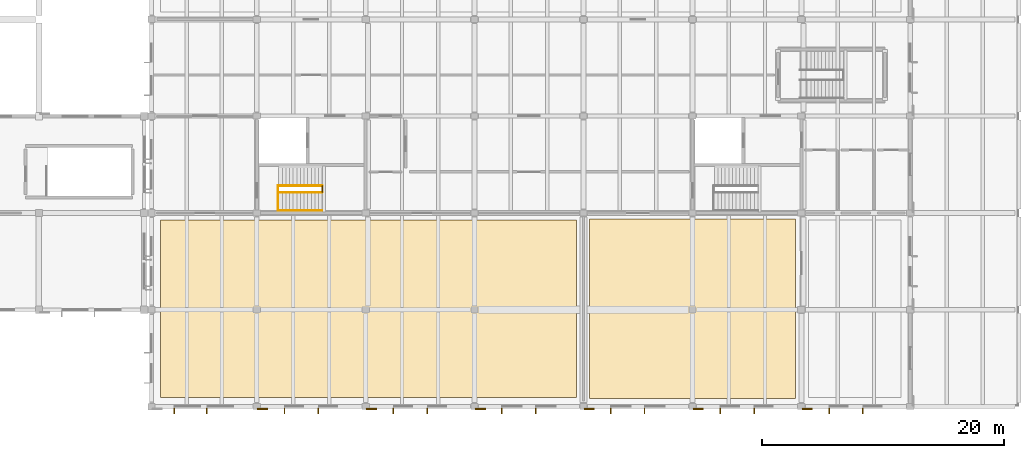
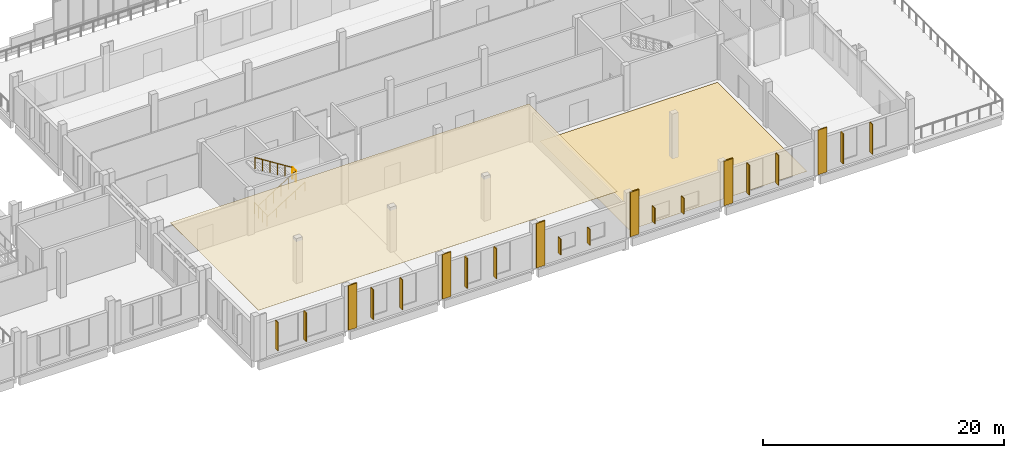
# One storey, part 56 of 63: 14 shading devices, 8 coverings, 5 railings.
"""IFC4 building model written with IfcOpenShell, lengths in metres."""

from ifc_helpers import new_model, si_unit, direction, frame, origin, origin_2d, place, context, subcontext, project, spatial, polyline, rectangle, circle, outline, extrude, material, layer, layer_set, type_object, element, save


model = new_model("IFC4")

# Units and contexts
model_context = context("Model", 3, precision=1e-05, world=origin(), true_north=direction((0.0, 1.0)))
body_context = subcontext(model_context, "Body", "Model", "MODEL_VIEW")
ifc_project = project(units=[si_unit("LENGTHUNIT", "METRE"), si_unit("AREAUNIT", "SQUARE_METRE"), si_unit("VOLUMEUNIT", "CUBIC_METRE"), si_unit("PLANEANGLEUNIT", "RADIAN"), si_unit("MASSUNIT", "GRAM", prefix="KILO")], contexts=[model_context])

# Site, building, storey
site_placement = place(None, origin())
site = spatial("IfcSite", under=ifc_project, at=site_placement, CompositionType="ELEMENT")
building_placement = place(site_placement, origin())
building = spatial("IfcBuilding", under=site, at=building_placement, Name="Zacnel Wholesale Market", CompositionType="ELEMENT")
storey_placement = place(building_placement, frame((0.0, 0.0, 11.199951171875)))
storey = spatial("IfcBuildingStorey", under=building, at=storey_placement, Name="L03", CompositionType="ELEMENT", Elevation=11.199951171875)

# Coverings
ifc_material_1 = material(Name="Micro-perforated acoustic gypsum ceiling")
ifc_layer_1 = layer(ifc_material_1, 0.02001953125)
ifc_layer_set_1 = layer_set([ifc_layer_1], Name="Micro-perforated acoustic gypsum ceiling")
covering_type_1 = type_object("IfcCoveringType", Name="COV-CEIL-AC-20", PredefinedType="CEILING", material=ifc_layer_set_1)
covering_1_placement = place(storey_placement, frame((0.0, 0.0, 4.2099609375)))
element("IfcCovering", 1, at=covering_1_placement, inside=storey, type_object=covering_type_1, Name="Acoustic ceiling L03-502", PredefinedType="CEILING", context=body_context, shape_type="SweptSolid", body=[
    extrude(outline(polyline([(145.050048828125, 0.75), (179.39990234375, 0.75), (179.39990234375, 15.39990234375), (145.050048828125, 15.39990234375), (145.050048828125, 0.75)])), origin(), (0.0, 0.0, 1.0), 0.02001953125),
])
ifc_material_2 = material(Name="Honed Yucatan Maya cream limestone", Category="masonry")
ifc_layer_2 = layer(ifc_material_2, 0.090087890625)
ifc_layer_set_2 = layer_set([ifc_layer_2], Name="Honed Yucatan Maya cream limestone")
covering_type_2 = type_object("IfcCoveringType", Name="COV-CLAD-FRET", PredefinedType="CLADDING", material=ifc_layer_set_2)
for number, where, z_axis, x_axis, name in (
    (2, (153.47998046875, -0.2099609375, 0.02001953125), (0.0, 0.0, 1.0), (1.0, 0.0, 0.0), "Fluted Mayan-Deco limestone pilaster L03-0194"),
    (3, (162.47998046875, -0.2099609375, 0.02001953125), (0.0, 0.0, 1.0), (1.0, 0.0, 0.0), "Fluted Mayan-Deco limestone pilaster L03-0195"),
    (4, (171.47998046875, -0.2099609375, 0.02001953125), (0.0, 0.0, 1.0), (1.0, 0.0, 0.0), "Fluted Mayan-Deco limestone pilaster L03-0196"),
    (5, (180.47998046875, -0.2099609375, 0.02001953125), (0.0, 0.0, 1.0), (1.0, 0.0, 0.0), "Fluted Mayan-Deco limestone pilaster L03-0197"),
    (6, (189.47998046875, -0.2099609375, 0.02001953125), (0.0, 0.0, 1.0), (1.0, 0.0, 0.0), "Fluted Mayan-Deco limestone pilaster L03-0198"),
    (7, (198.47998046875, -0.2099609375, 0.02001953125), (0.0, 0.0, 1.0), (1.0, 0.0, 0.0), "Fluted Mayan-Deco limestone pilaster L03-0199"),
):
    element("IfcCovering", number, at=place(storey_placement, frame(where, z_axis=z_axis, x_axis=x_axis)), inside=storey, type_object=covering_type_2, Name=name, PredefinedType="CLADDING", context=body_context, shape_type="SweptSolid", body=[
        extrude(rectangle(XDim=0.85009765625, YDim=0.1201171875, at=origin_2d()), origin(), (0.0, 0.0, 1.0), 4.510009765625),
    ])
ifc_material_3 = material(Name="Food-grade epoxy resin flooring")
ifc_layer_3 = layer(ifc_material_3, 0.011962890625)
ifc_layer_set_3 = layer_set([ifc_layer_3], Name="Food-grade epoxy resin flooring")
covering_type_3 = type_object("IfcCoveringType", Name="COV-FLR-EPOXY-12", PredefinedType="FLOORING", material=ifc_layer_set_3)
covering_2_placement = place(storey_placement, origin())
element("IfcCovering", 8, at=covering_2_placement, inside=storey, type_object=covering_type_3, Name="Hygienic epoxy floor finish L03-503", PredefinedType="FLOORING", context=body_context, shape_type="SweptSolid", body=[
    extrude(outline(polyline([(180.5, 0.64990234375), (197.5, 0.64990234375), (197.5, 15.5), (180.5, 15.5), (180.5, 0.64990234375)])), origin(), (0.0, 0.0, 1.0), 0.011962890625),
])

# Railings
ifc_material_4 = material(Name="Galvanized steel", Category="steel")
railing_type_1 = type_object("IfcRailingType", Name="RAL-HANDRAIL-920", PredefinedType="HANDRAIL", material=ifc_material_4)
railing_1_placement = place(storey_placement, frame((154.81005859375, 16.2099609375, 0.0)))
element("IfcRailing", 9, at=railing_1_placement, inside=storey, type_object=railing_type_1, Name="Stair ST-03 wall handrail", PredefinedType="HANDRAIL", context=body_context, shape_type="SweptSolid", body=[
    extrude(circle(Radius=0.02099609375, at=origin_2d()), frame((0.0, 0.0, 0.89892578125), z_axis=(0.845324026139, 0.0, 0.534253957246), x_axis=(0.0, 1.0, 0.0)), (0.0, 0.0, 1.0), 4.258544921875),
    extrude(circle(Radius=0.01806640625, at=origin_2d()), origin(), (0.0, 0.0, 1.0), 0.8779296875),
    extrude(circle(Radius=0.01806640625, at=origin_2d()), frame((0.89990234375, 0.0, 0.56884765625)), (0.0, 0.0, 1.0), 0.8779296875),
    extrude(circle(Radius=0.01806640625, at=origin_2d()), frame((1.7998046875, 0.0, 1.1376953125)), (0.0, 0.0, 1.0), 0.8779296875),
    extrude(circle(Radius=0.01806640625, at=origin_2d()), frame((2.699951171875, 0.0, 1.706298828125)), (0.0, 0.0, 1.0), 0.8779296875),
    extrude(circle(Radius=0.01806640625, at=origin_2d()), frame((3.599853515625, 0.0, 2.275146484375)), (0.0, 0.0, 1.0), 0.8779296875),
])
ifc_material_5 = material(Name="Galvanized steel", Category="steel")
railing_type_2 = type_object("IfcRailingType", Name="RAL-STAIR-GD1150", PredefinedType="BALUSTRADE", material=ifc_material_5)
railing_2_placement = place(storey_placement, frame((154.75, 16.18994140625, 0.0)))
element("IfcRailing", 10, at=railing_2_placement, inside=storey, type_object=railing_type_2, Name="Stair balustrade INT-STAIR-ST-02-GDWELL-1", PredefinedType="BALUSTRADE", context=body_context, shape_type="SweptSolid", body=[
    extrude(circle(Radius=0.02392578125, at=origin_2d()), frame((0.0, 0.0, 1.1259765625), z_axis=(0.0, 1.0, 0.0), x_axis=(-1.0, 0.0, 0.0)), (0.0, 0.0, 1.0), 2.06005859375),
    extrude(circle(Radius=0.02099609375, at=origin_2d()), origin(), (0.0, 0.0, 1.0), 1.101806640625),
    extrude(circle(Radius=0.02099609375, at=origin_2d()), frame((0.0, 0.686767578125, 0.0)), (0.0, 0.0, 1.0), 1.101806640625),
    extrude(circle(Radius=0.02099609375, at=origin_2d()), frame((0.0, 1.373291015625, 0.0)), (0.0, 0.0, 1.0), 1.101806640625),
    extrude(circle(Radius=0.02099609375, at=origin_2d()), frame((0.0, 2.06005859375, 0.0)), (0.0, 0.0, 1.0), 1.101806640625),
])
railing_3_placement = place(storey_placement, frame((154.81005859375, 17.699951171875, 0.0)))
element("IfcRailing", 11, at=railing_3_placement, inside=storey, type_object=railing_type_2, Name="Stair balustrade INT-STAIR-ST-03-GDIN-1", PredefinedType="BALUSTRADE", context=body_context, shape_type="SweptSolid", body=[
    extrude(circle(Radius=0.02392578125, at=origin_2d()), frame((0.0, 0.0, 1.1259765625), z_axis=(0.845324026139, 0.0, 0.534253957246), x_axis=(0.0, 1.0, 0.0)), (0.0, 0.0, 1.0), 4.258544921875),
    extrude(circle(Radius=0.02099609375, at=origin_2d()), origin(), (0.0, 0.0, 1.0), 1.101806640625),
    extrude(circle(Radius=0.02099609375, at=origin_2d()), frame((0.719970703125, 0.0, 0.455078125)), (0.0, 0.0, 1.0), 1.101806640625),
    extrude(circle(Radius=0.02099609375, at=origin_2d()), frame((1.43994140625, 0.0, 0.91015625)), (0.0, 0.0, 1.0), 1.101806640625),
    extrude(circle(Radius=0.02099609375, at=origin_2d()), frame((2.159912109375, 0.0, 1.364990234375)), (0.0, 0.0, 1.0), 1.101806640625),
    extrude(circle(Radius=0.02099609375, at=origin_2d()), frame((2.8798828125, 0.0, 1.820068359375)), (0.0, 0.0, 1.0), 1.101806640625),
    extrude(circle(Radius=0.02099609375, at=origin_2d()), frame((3.599853515625, 0.0, 2.275146484375)), (0.0, 0.0, 1.0), 1.101806640625),
])
railing_4_placement = place(storey_placement, frame((158.409912109375, 17.699951171875, 2.275146484375)))
element("IfcRailing", 12, at=railing_4_placement, inside=storey, type_object=railing_type_2, Name="Stair balustrade INT-STAIR-ST-03-GDIN-2", PredefinedType="BALUSTRADE", context=body_context, shape_type="SweptSolid", body=[
    extrude(circle(Radius=0.02392578125, at=origin_2d()), frame((0.0, 0.0, 1.1259765625), z_axis=(0.0, 1.0, 0.0), x_axis=(-1.0, 0.0, 0.0)), (0.0, 0.0, 1.0), 0.550048828125),
    extrude(circle(Radius=0.02099609375, at=origin_2d()), origin(), (0.0, 0.0, 1.0), 1.101806640625),
    extrude(circle(Radius=0.02099609375, at=origin_2d()), frame((0.0, 0.550048828125, 0.0)), (0.0, 0.0, 1.0), 1.101806640625),
])
railing_5_placement = place(storey_placement, frame((158.409912109375, 18.25, 2.275146484375)))
element("IfcRailing", 13, at=railing_5_placement, inside=storey, type_object=railing_type_2, Name="Stair balustrade INT-STAIR-ST-03-GDIN-3", PredefinedType="BALUSTRADE", context=body_context, shape_type="SweptSolid", body=[
    extrude(circle(Radius=0.02392578125, at=origin_2d()), frame((0.0, 0.0, 1.1259765625), z_axis=(-0.845349916973, 0.0, 0.534212989241), x_axis=(0.0, -1.0, 0.0)), (0.0, 0.0, 1.0), 4.25830078125),
    extrude(circle(Radius=0.02099609375, at=origin_2d()), origin(), (0.0, 0.0, 1.0), 1.101806640625),
    extrude(circle(Radius=0.02099609375, at=origin_2d()), frame((-0.719970703125, 0.0, 0.455078125)), (0.0, 0.0, 1.0), 1.101806640625),
    extrude(circle(Radius=0.02099609375, at=origin_2d()), frame((-1.43994140625, 0.0, 0.909912109375)), (0.0, 0.0, 1.0), 1.101806640625),
    extrude(circle(Radius=0.02099609375, at=origin_2d()), frame((-2.159912109375, 0.0, 1.364990234375)), (0.0, 0.0, 1.0), 1.101806640625),
    extrude(circle(Radius=0.02099609375, at=origin_2d()), frame((-2.8798828125, 0.0, 1.81982421875)), (0.0, 0.0, 1.0), 1.101806640625),
    extrude(circle(Radius=0.02099609375, at=origin_2d()), frame((-3.599853515625, 0.0, 2.27490234375)), (0.0, 0.0, 1.0), 1.101806640625),
])

# Shading devices
ifc_material_6 = material(Name="Honed Yucatan Maya cream limestone", Category="masonry")
shading_device_type = type_object("IfcShadingDeviceType", Name="SHD-FIN-V450", PredefinedType="USERDEFINED", material=ifc_material_6)
for number, where, z_axis, x_axis, name in (
    (14, (146.173095703125, -0.360107421875, 0.51513671875), (0.0, 0.0, 1.0), (1.0, 0.0, 0.0), "Limestone sunshade fin 0225"),
    (15, (148.882080078125, -0.360107421875, 0.51513671875), (0.0, 0.0, 1.0), (1.0, 0.0, 0.0), "Limestone sunshade fin 0226"),
):
    element("IfcShadingDevice", number, at=place(storey_placement, frame(where, z_axis=z_axis, x_axis=x_axis)), inside=storey, type_object=shading_device_type, Name=name, ObjectType="SUNSHADE", PredefinedType="USERDEFINED", context=body_context, shape_type="SweptSolid", body=[
        extrude(rectangle(XDim=0.080078125, YDim=0.43994140625, at=origin_2d()), origin(), (0.0, 0.0, 1.0), 2.89990234375),
    ])
for number, where, z_axis, x_axis, name in (
    (16, (155.2900390625, -0.360107421875, 0.5048828125), (0.0, 0.0, 1.0), (1.0, 0.0, 0.0), "Limestone sunshade fin 0227"),
    (17, (158.090087890625, -0.360107421875, 0.5048828125), (0.0, 0.0, 1.0), (1.0, 0.0, 0.0), "Limestone sunshade fin 0228"),
    (18, (164.2900390625, -0.360107421875, 0.5048828125), (0.0, 0.0, 1.0), (1.0, 0.0, 0.0), "Limestone sunshade fin 0229"),
    (19, (167.090087890625, -0.360107421875, 0.5048828125), (0.0, 0.0, 1.0), (1.0, 0.0, 0.0), "Limestone sunshade fin 0230"),
):
    element("IfcShadingDevice", number, at=place(storey_placement, frame(where, z_axis=z_axis, x_axis=x_axis)), inside=storey, type_object=shading_device_type, Name=name, ObjectType="SUNSHADE", PredefinedType="USERDEFINED", context=body_context, shape_type="SweptSolid", body=[
        extrude(rectangle(XDim=0.080078125, YDim=0.43994140625, at=origin_2d()), origin(), (0.0, 0.0, 1.0), 3.050048828125),
    ])
for number, where, z_axis, x_axis, name in (
    (20, (173.239990234375, -0.360107421875, 0.77490234375), (0.0, 0.0, 1.0), (1.0, 0.0, 0.0), "Limestone sunshade fin 0231"),
    (21, (176.0400390625, -0.360107421875, 0.77490234375), (0.0, 0.0, 1.0), (1.0, 0.0, 0.0), "Limestone sunshade fin 0232"),
    (22, (182.239990234375, -0.360107421875, 0.77490234375), (0.0, 0.0, 1.0), (1.0, 0.0, 0.0), "Limestone sunshade fin 0233"),
    (23, (185.0400390625, -0.360107421875, 0.77490234375), (0.0, 0.0, 1.0), (1.0, 0.0, 0.0), "Limestone sunshade fin 0234"),
):
    element("IfcShadingDevice", number, at=place(storey_placement, frame(where, z_axis=z_axis, x_axis=x_axis)), inside=storey, type_object=shading_device_type, Name=name, ObjectType="SUNSHADE", PredefinedType="USERDEFINED", context=body_context, shape_type="SweptSolid", body=[
        extrude(rectangle(XDim=0.080078125, YDim=0.43994140625, at=origin_2d()), origin(), (0.0, 0.0, 1.0), 1.60009765625),
    ])
for number, where, z_axis, x_axis, name in (
    (24, (191.2900390625, -0.360107421875, 0.5048828125), (0.0, 0.0, 1.0), (1.0, 0.0, 0.0), "Limestone sunshade fin 0235"),
    (25, (194.090087890625, -0.360107421875, 0.5048828125), (0.0, 0.0, 1.0), (1.0, 0.0, 0.0), "Limestone sunshade fin 0236"),
    (26, (200.2900390625, -0.360107421875, 0.5048828125), (0.0, 0.0, 1.0), (1.0, 0.0, 0.0), "Limestone sunshade fin 0237"),
    (27, (203.090087890625, -0.360107421875, 0.5048828125), (0.0, 0.0, 1.0), (1.0, 0.0, 0.0), "Limestone sunshade fin 0238"),
):
    element("IfcShadingDevice", number, at=place(storey_placement, frame(where, z_axis=z_axis, x_axis=x_axis)), inside=storey, type_object=shading_device_type, Name=name, ObjectType="SUNSHADE", PredefinedType="USERDEFINED", context=body_context, shape_type="SweptSolid", body=[
        extrude(rectangle(XDim=0.080078125, YDim=0.43994140625, at=origin_2d()), origin(), (0.0, 0.0, 1.0), 3.050048828125),
    ])

save(model, "model.ifc")
